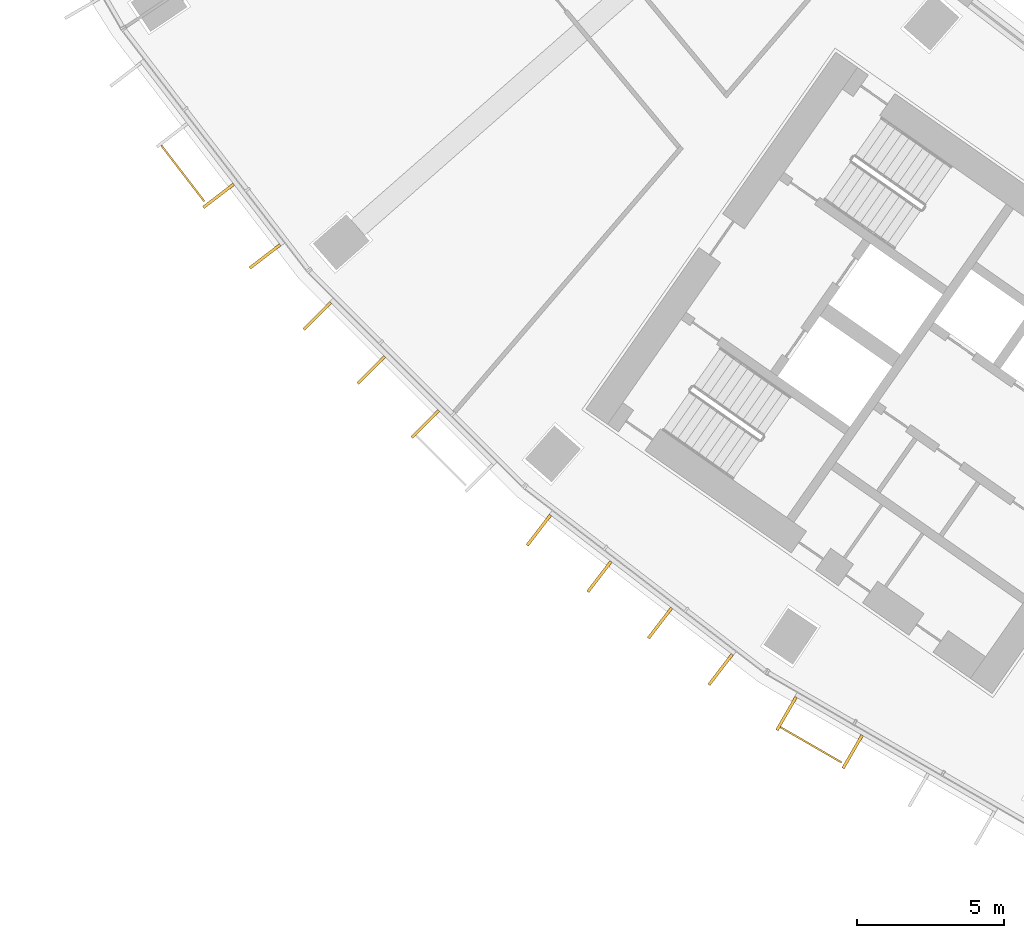
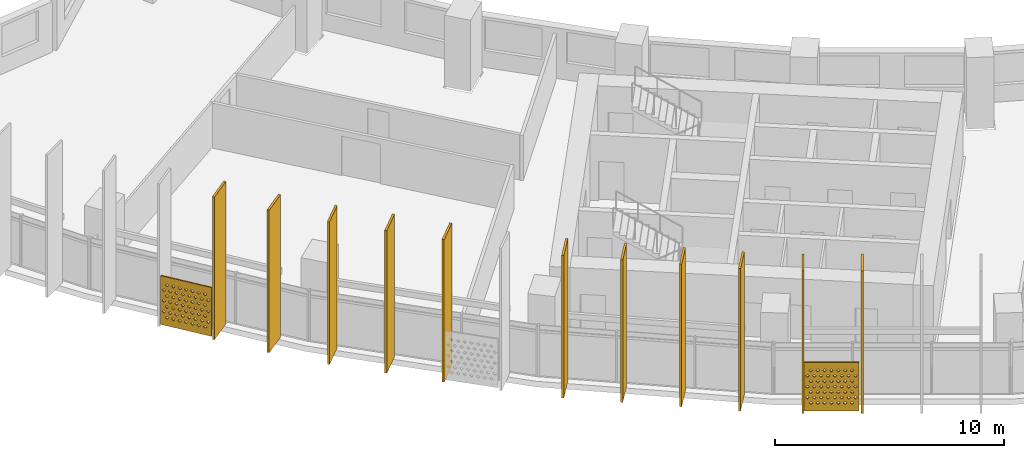
# One storey, part 24 of 33: 13 shading devices.
"""IFC4 building model written with IfcOpenShell, lengths in metres."""

import ifcopenshell
import ifcopenshell.guid

model = None  # the IFC model being written
_history = None  # IfcOwnerHistory: only IFC2X3 demands one
_inside = {}  # id of a spatial element -> (the spatial element, [elements in it])
_under = {}  # id of a project, library or spatial element -> (it, [spatial elements below it])
_declared = {}  # id of a project -> (the project, [libraries it declares])
_typed = {}  # id of a type object -> (the type object, [elements of that type])
_made_of = {}  # id of a material, layer set ... -> (it, [elements and type objects made of it])


def new_model(schema):
    """Start an empty IFC model of exactly this schema.

    Asked for "IFC4X3", IfcOpenShell would pick the latest addendum, in which some entities
    have other attributes; the version numbers below select the first issue.
    IFC2X3 requires an IfcOwnerHistory on every rooted entity: one is made here for all.
    """
    global model, _history
    if schema == "IFC4X3":
        model = ifcopenshell.file(schema_version=(4, 3, 0, 0))
    else:
        model = ifcopenshell.file(schema=schema)
    _inside.clear()
    _under.clear()
    _declared.clear()
    _typed.clear()
    _made_of.clear()
    _history = None
    if model.schema == "IFC2X3":
        org = make("IfcOrganization", Name="unknown")
        user = make(
            "IfcPersonAndOrganization",
            ThePerson=make("IfcPerson", FamilyName="unknown"),
            TheOrganization=org,
        )
        app = make(
            "IfcApplication",
            ApplicationDeveloper=org,
            Version="unknown",
            ApplicationFullName="unknown",
            ApplicationIdentifier="unknown",
        )
        _history = make(
            "IfcOwnerHistory",
            OwningUser=user,
            OwningApplication=app,
            ChangeAction="ADDED",
            CreationDate=0,
        )
    return model


def make(cls, **values):
    """One entity of the class cls with the attributes given. An attribute that is None is left unset."""
    return model.create_entity(
        cls, **{name: value for name, value in values.items() if value is not None}
    )


def rooted(cls, **values):
    """An entity with a GlobalId (a new one), such as an element, a storey or a relation."""
    return make(cls, GlobalId=ifcopenshell.guid.new(), OwnerHistory=_history, **values)


def si_unit(unit_type, name, prefix=None):
    """IfcSIUnit, for example si_unit("LENGTHUNIT", "METRE", prefix="MILLI")."""
    return make("IfcSIUnit", UnitType=unit_type, Prefix=prefix, Name=name)


def assignment(units):
    """IfcUnitAssignment: the units of a project."""
    return None if units is None else make("IfcUnitAssignment", Units=units)


def point(xyz):
    """IfcCartesianPoint."""
    return None if xyz is None else make("IfcCartesianPoint", Coordinates=xyz)


def direction(xyz):
    """IfcDirection."""
    return None if xyz is None else make("IfcDirection", DirectionRatios=xyz)


def frame(location, z_axis=None, x_axis=None):
    """IfcAxis2Placement3D, a coordinate frame: its origin and axes. An axis left out is left unset."""
    return make(
        "IfcAxis2Placement3D",
        Location=point(location),
        Axis=direction(z_axis),
        RefDirection=direction(x_axis),
    )


def frame_2d(location, x_axis=None):
    """IfcAxis2Placement2D, a coordinate frame in the plane: its origin and x axis."""
    return make(
        "IfcAxis2Placement2D", Location=point(location), RefDirection=direction(x_axis)
    )


def origin():
    """The frame at (0, 0, 0) with its axes left unset."""
    return frame((0.0, 0.0, 0.0))


def origin_2d():
    """The frame at (0, 0) in the plane with its x axis left unset."""
    return frame_2d((0.0, 0.0))


def place(relative_to, where):
    """IfcLocalPlacement: puts the frame where relative to a parent placement (None: the world)."""
    return make(
        "IfcLocalPlacement", PlacementRelTo=relative_to, RelativePlacement=where
    )


def context(
    kind, dimensions, precision=None, world=None, true_north=None, identifier=None
):
    """IfcGeometricRepresentationContext, for example the 3D "Model" context."""
    return make(
        "IfcGeometricRepresentationContext",
        ContextIdentifier=identifier,
        ContextType=kind,
        CoordinateSpaceDimension=dimensions,
        Precision=precision,
        WorldCoordinateSystem=world,
        TrueNorth=true_north,
    )


def subcontext(parent, identifier, kind, view, scale=None):
    """IfcGeometricRepresentationSubContext, for example "Body" below "Model"."""
    return make(
        "IfcGeometricRepresentationSubContext",
        ContextIdentifier=identifier,
        ContextType=kind,
        ParentContext=parent,
        TargetScale=scale,
        TargetView=view,
    )


def project(units=None, contexts=None):
    """IfcProject with its units and contexts."""
    return rooted(
        "IfcProject",
        Name="project",
        RepresentationContexts=contexts,
        UnitsInContext=assignment(units),
    )


def spatial(cls, under=None, at=None, **own):
    """A site, building, storey or space (cls), placed at a placement, below another one or the project."""
    s = rooted(cls, ObjectPlacement=at, **own)
    if under is not None:
        _under.setdefault(under.id(), (under, []))[1].append(s)
    return s


def polyline(points):
    """IfcPolyline through the points."""
    return make("IfcPolyline", Points=[point(p) for p in points])


def profile(cls, at=None, kind="AREA", **sizes):
    """A parametric profile (cls). Its sizes go by their IFC names, for example OverallWidth=200.0."""
    return make(cls, ProfileType=kind, Position=at, **sizes)


def rectangle(**sizes):
    """IfcRectangleProfileDef."""
    return profile("IfcRectangleProfileDef", **sizes)


def outline(outer, holes=None, kind="AREA"):
    """IfcArbitraryClosedProfileDef: a profile drawn as a closed curve; with holes, ...WithVoids."""
    if holes is None:
        return make("IfcArbitraryClosedProfileDef", ProfileType=kind, OuterCurve=outer)
    return make(
        "IfcArbitraryProfileDefWithVoids",
        ProfileType=kind,
        OuterCurve=outer,
        InnerCurves=holes,
    )


def extrude(swept, where, along, depth):
    """IfcExtrudedAreaSolid: the profile swept, set in the frame where, extruded along a direction by depth."""
    return make(
        "IfcExtrudedAreaSolid",
        SweptArea=swept,
        Position=where,
        ExtrudedDirection=direction(along),
        Depth=depth,
    )


def shape(context_of_items, identifier, shape_type, items):
    """IfcShapeRepresentation: the items that make up one representation, for example the "Body"."""
    return make(
        "IfcShapeRepresentation",
        ContextOfItems=context_of_items,
        RepresentationIdentifier=identifier,
        RepresentationType=shape_type,
        Items=items,
    )


def material(Name=None, Category=None):
    """IfcMaterial."""
    return make("IfcMaterial", Name=Name, Category=Category)


def material_profile(
    of_material, cross_section, Name=None, Category=None, Priority=None
):
    """IfcMaterialProfile: a cross section and its material."""
    return make(
        "IfcMaterialProfile",
        Name=Name,
        Material=of_material,
        Profile=cross_section,
        Priority=Priority,
        Category=Category,
    )


def profile_set(profiles, Name=None, composite=None):
    """IfcMaterialProfileSet."""
    return make(
        "IfcMaterialProfileSet",
        Name=Name,
        MaterialProfiles=profiles,
        CompositeProfile=composite,
    )


def made_of(thing, what):
    """Note that an element or type object is made of a material, layer set ...; save() writes the relation."""
    if what is not None:
        _made_of.setdefault(what.id(), (what, []))[1].append(thing)
    return thing


def type_object(cls, material=None, **own):
    """A type object (cls), such as IfcWallType, which elements share."""
    return made_of(rooted(cls, **own), material)


def element(
    cls,
    number,
    at=None,
    inside=None,
    cuts=None,
    type_object=None,
    material=None,
    context=None,
    identifier="Body",
    shape_type=None,
    held_by="IfcProductDefinitionShape",
    body=None,
    shapes=None,
    **own,
):
    """One element of the class cls, such as IfcWall. Its Tag is "e" and its number.

    at: its placement. inside: the storey or other place that contains it. cuts: it is an
    opening in that element (IfcRelVoidsElement). A single representation is given by context,
    identifier, shape_type and body (its items); several are given by shapes. held_by: the class
    of the entity that holds the representations. save() writes the other relations.
    """
    e = rooted(cls, Tag="e%d" % number, ObjectPlacement=at, **own)
    if body is not None:
        shapes = [shape(context, identifier, shape_type, body)]
    if shapes is not None:
        e.Representation = make(held_by, Representations=shapes)
    if inside is not None:
        _inside.setdefault(inside.id(), (inside, []))[1].append(e)
    if cuts is not None:
        rooted(
            "IfcRelVoidsElement", RelatingBuildingElement=cuts, RelatedOpeningElement=e
        )
    if type_object is not None:
        _typed.setdefault(type_object.id(), (type_object, []))[1].append(e)
    return made_of(e, material)


def aggregate(whole, parts):
    """IfcRelAggregates: a whole, such as a stair, and the parts it consists of."""
    return rooted("IfcRelAggregates", RelatingObject=whole, RelatedObjects=parts)


def save(model, path):
    """Write the relations noted so far, then the file.

    IfcRelAggregates (storeys below a building ...), IfcRelContainedInSpatialStructure (elements
    in a storey), IfcRelDefinesByType, IfcRelAssociatesMaterial and IfcRelDeclares: one each for
    every whole, place, type object, material and project.
    """
    for whole, parts in _under.values():
        aggregate(whole, parts)
    for where, things in _inside.values():
        rooted(
            "IfcRelContainedInSpatialStructure",
            RelatedElements=things,
            RelatingStructure=where,
        )
    for kind, things in _typed.values():
        rooted("IfcRelDefinesByType", RelatedObjects=things, RelatingType=kind)
    for what, things in _made_of.values():
        rooted("IfcRelAssociatesMaterial", RelatedObjects=things, RelatingMaterial=what)
    for by, libraries in _declared.values():
        rooted("IfcRelDeclares", RelatingContext=by, RelatedDefinitions=libraries)
    model.write(path)


model = new_model("IFC4")

# Units and contexts
model_context = context("Model", 3, precision=1e-05, world=origin(), true_north=direction((0.0, 1.0)))
body_context = subcontext(model_context, "Body", "Model", "MODEL_VIEW")
ifc_project = project(units=[si_unit("LENGTHUNIT", "METRE"), si_unit("AREAUNIT", "SQUARE_METRE"), si_unit("VOLUMEUNIT", "CUBIC_METRE"), si_unit("PLANEANGLEUNIT", "RADIAN"), si_unit("MASSUNIT", "GRAM", prefix="KILO")], contexts=[model_context])

# Site, building, storey
site_placement = place(None, origin())
site = spatial("IfcSite", under=ifc_project, at=site_placement, CompositionType="ELEMENT")
building_placement = place(site_placement, origin())
building = spatial("IfcBuilding", under=site, at=building_placement, Name="Qamariyya Broadcast Tower", CompositionType="ELEMENT")
storey_placement = place(building_placement, frame((0.0, 0.0, 94.89990234375)))
storey = spatial("IfcBuildingStorey", under=building, at=storey_placement, Name="L20", CompositionType="ELEMENT", Elevation=94.89990234375)

# Shading devices
ifc_material_1 = material(Name="Perforated glazed terracotta", Category="masonry")
ifc_material_profile_1 = material_profile(ifc_material_1, outline(polyline([(-1.199951171875, -1.300048828125), (1.199951171875, -1.300048828125), (1.199951171875, 1.300048828125), (-1.199951171875, 1.300048828125), (-1.199951171875, -1.300048828125)]), holes=[polyline([(-0.81494140625, -0.86669921875), (-0.89990234375, -0.78173828125), (-0.985107421875, -0.86669921875), (-0.89990234375, -0.95166015625), (-0.81494140625, -0.86669921875)]), polyline([(-0.514892578125, -0.86669921875), (-0.60009765625, -0.78173828125), (-0.68505859375, -0.86669921875), (-0.60009765625, -0.95166015625), (-0.514892578125, -0.86669921875)]), polyline([(-0.215087890625, -0.86669921875), (-0.300048828125, -0.78173828125), (-0.385009765625, -0.86669921875), (-0.300048828125, -0.95166015625), (-0.215087890625, -0.86669921875)]), polyline([(0.0849609375, -0.86669921875), (0.0, -0.78173828125), (-0.0849609375, -0.86669921875), (0.0, -0.95166015625), (0.0849609375, -0.86669921875)]), polyline([(0.385009765625, -0.86669921875), (0.300048828125, -0.78173828125), (0.215087890625, -0.86669921875), (0.300048828125, -0.95166015625), (0.385009765625, -0.86669921875)]), polyline([(0.68505859375, -0.86669921875), (0.60009765625, -0.78173828125), (0.514892578125, -0.86669921875), (0.60009765625, -0.95166015625), (0.68505859375, -0.86669921875)]), polyline([(0.985107421875, -0.86669921875), (0.89990234375, -0.78173828125), (0.81494140625, -0.86669921875), (0.89990234375, -0.95166015625), (0.985107421875, -0.86669921875)]), polyline([(-0.965087890625, -0.577880859375), (-1.050048828125, -0.49267578125), (-1.135009765625, -0.577880859375), (-1.050048828125, -0.662841796875), (-0.965087890625, -0.577880859375)]), polyline([(-0.6650390625, -0.577880859375), (-0.75, -0.49267578125), (-0.8349609375, -0.577880859375), (-0.75, -0.662841796875), (-0.6650390625, -0.577880859375)]), polyline([(-0.364990234375, -0.577880859375), (-0.449951171875, -0.49267578125), (-0.534912109375, -0.577880859375), (-0.449951171875, -0.662841796875), (-0.364990234375, -0.577880859375)]), polyline([(-0.06494140625, -0.577880859375), (-0.14990234375, -0.49267578125), (-0.235107421875, -0.577880859375), (-0.14990234375, -0.662841796875), (-0.06494140625, -0.577880859375)]), polyline([(0.235107421875, -0.577880859375), (0.14990234375, -0.49267578125), (0.06494140625, -0.577880859375), (0.14990234375, -0.662841796875), (0.235107421875, -0.577880859375)]), polyline([(0.534912109375, -0.577880859375), (0.449951171875, -0.49267578125), (0.364990234375, -0.577880859375), (0.449951171875, -0.662841796875), (0.534912109375, -0.577880859375)]), polyline([(0.8349609375, -0.577880859375), (0.75, -0.49267578125), (0.6650390625, -0.577880859375), (0.75, -0.662841796875), (0.8349609375, -0.577880859375)]), polyline([(1.135009765625, -0.577880859375), (1.050048828125, -0.49267578125), (0.965087890625, -0.577880859375), (1.050048828125, -0.662841796875), (1.135009765625, -0.577880859375)]), polyline([(-0.81494140625, -0.288818359375), (-0.89990234375, -0.203857421875), (-0.985107421875, -0.288818359375), (-0.89990234375, -0.373779296875), (-0.81494140625, -0.288818359375)]), polyline([(-0.514892578125, -0.288818359375), (-0.60009765625, -0.203857421875), (-0.68505859375, -0.288818359375), (-0.60009765625, -0.373779296875), (-0.514892578125, -0.288818359375)]), polyline([(-0.215087890625, -0.288818359375), (-0.300048828125, -0.203857421875), (-0.385009765625, -0.288818359375), (-0.300048828125, -0.373779296875), (-0.215087890625, -0.288818359375)]), polyline([(0.0849609375, -0.288818359375), (0.0, -0.203857421875), (-0.0849609375, -0.288818359375), (0.0, -0.373779296875), (0.0849609375, -0.288818359375)]), polyline([(0.385009765625, -0.288818359375), (0.300048828125, -0.203857421875), (0.215087890625, -0.288818359375), (0.300048828125, -0.373779296875), (0.385009765625, -0.288818359375)]), polyline([(0.68505859375, -0.288818359375), (0.60009765625, -0.203857421875), (0.514892578125, -0.288818359375), (0.60009765625, -0.373779296875), (0.68505859375, -0.288818359375)]), polyline([(0.985107421875, -0.288818359375), (0.89990234375, -0.203857421875), (0.81494140625, -0.288818359375), (0.89990234375, -0.373779296875), (0.985107421875, -0.288818359375)]), polyline([(-0.965087890625, 0.0), (-1.050048828125, 0.0849609375), (-1.135009765625, 0.0), (-1.050048828125, -0.0849609375), (-0.965087890625, 0.0)]), polyline([(-0.6650390625, 0.0), (-0.75, 0.0849609375), (-0.8349609375, 0.0), (-0.75, -0.0849609375), (-0.6650390625, 0.0)]), polyline([(-0.364990234375, 0.0), (-0.449951171875, 0.0849609375), (-0.534912109375, 0.0), (-0.449951171875, -0.0849609375), (-0.364990234375, 0.0)]), polyline([(-0.06494140625, 0.0), (-0.14990234375, 0.0849609375), (-0.235107421875, 0.0), (-0.14990234375, -0.0849609375), (-0.06494140625, 0.0)]), polyline([(0.235107421875, 0.0), (0.14990234375, 0.0849609375), (0.06494140625, 0.0), (0.14990234375, -0.0849609375), (0.235107421875, 0.0)]), polyline([(0.534912109375, 0.0), (0.449951171875, 0.0849609375), (0.364990234375, 0.0), (0.449951171875, -0.0849609375), (0.534912109375, 0.0)]), polyline([(0.8349609375, 0.0), (0.75, 0.0849609375), (0.6650390625, 0.0), (0.75, -0.0849609375), (0.8349609375, 0.0)]), polyline([(1.135009765625, 0.0), (1.050048828125, 0.0849609375), (0.965087890625, 0.0), (1.050048828125, -0.0849609375), (1.135009765625, 0.0)]), polyline([(-0.81494140625, 0.288818359375), (-0.89990234375, 0.373779296875), (-0.985107421875, 0.288818359375), (-0.89990234375, 0.203857421875), (-0.81494140625, 0.288818359375)]), polyline([(-0.514892578125, 0.288818359375), (-0.60009765625, 0.373779296875), (-0.68505859375, 0.288818359375), (-0.60009765625, 0.203857421875), (-0.514892578125, 0.288818359375)]), polyline([(-0.215087890625, 0.288818359375), (-0.300048828125, 0.373779296875), (-0.385009765625, 0.288818359375), (-0.300048828125, 0.203857421875), (-0.215087890625, 0.288818359375)]), polyline([(0.0849609375, 0.288818359375), (0.0, 0.373779296875), (-0.0849609375, 0.288818359375), (0.0, 0.203857421875), (0.0849609375, 0.288818359375)]), polyline([(0.385009765625, 0.288818359375), (0.300048828125, 0.373779296875), (0.215087890625, 0.288818359375), (0.300048828125, 0.203857421875), (0.385009765625, 0.288818359375)]), polyline([(0.68505859375, 0.288818359375), (0.60009765625, 0.373779296875), (0.514892578125, 0.288818359375), (0.60009765625, 0.203857421875), (0.68505859375, 0.288818359375)]), polyline([(0.985107421875, 0.288818359375), (0.89990234375, 0.373779296875), (0.81494140625, 0.288818359375), (0.89990234375, 0.203857421875), (0.985107421875, 0.288818359375)]), polyline([(-0.965087890625, 0.577880859375), (-1.050048828125, 0.662841796875), (-1.135009765625, 0.577880859375), (-1.050048828125, 0.49267578125), (-0.965087890625, 0.577880859375)]), polyline([(-0.6650390625, 0.577880859375), (-0.75, 0.662841796875), (-0.8349609375, 0.577880859375), (-0.75, 0.49267578125), (-0.6650390625, 0.577880859375)]), polyline([(-0.364990234375, 0.577880859375), (-0.449951171875, 0.662841796875), (-0.534912109375, 0.577880859375), (-0.449951171875, 0.49267578125), (-0.364990234375, 0.577880859375)]), polyline([(-0.06494140625, 0.577880859375), (-0.14990234375, 0.662841796875), (-0.235107421875, 0.577880859375), (-0.14990234375, 0.49267578125), (-0.06494140625, 0.577880859375)]), polyline([(0.235107421875, 0.577880859375), (0.14990234375, 0.662841796875), (0.06494140625, 0.577880859375), (0.14990234375, 0.49267578125), (0.235107421875, 0.577880859375)]), polyline([(0.534912109375, 0.577880859375), (0.449951171875, 0.662841796875), (0.364990234375, 0.577880859375), (0.449951171875, 0.49267578125), (0.534912109375, 0.577880859375)]), polyline([(0.8349609375, 0.577880859375), (0.75, 0.662841796875), (0.6650390625, 0.577880859375), (0.75, 0.49267578125), (0.8349609375, 0.577880859375)]), polyline([(1.135009765625, 0.577880859375), (1.050048828125, 0.662841796875), (0.965087890625, 0.577880859375), (1.050048828125, 0.49267578125), (1.135009765625, 0.577880859375)]), polyline([(-0.81494140625, 0.86669921875), (-0.89990234375, 0.95166015625), (-0.985107421875, 0.86669921875), (-0.89990234375, 0.78173828125), (-0.81494140625, 0.86669921875)]), polyline([(-0.514892578125, 0.86669921875), (-0.60009765625, 0.95166015625), (-0.68505859375, 0.86669921875), (-0.60009765625, 0.78173828125), (-0.514892578125, 0.86669921875)]), polyline([(-0.215087890625, 0.86669921875), (-0.300048828125, 0.95166015625), (-0.385009765625, 0.86669921875), (-0.300048828125, 0.78173828125), (-0.215087890625, 0.86669921875)]), polyline([(0.0849609375, 0.86669921875), (0.0, 0.95166015625), (-0.0849609375, 0.86669921875), (0.0, 0.78173828125), (0.0849609375, 0.86669921875)]), polyline([(0.385009765625, 0.86669921875), (0.300048828125, 0.95166015625), (0.215087890625, 0.86669921875), (0.300048828125, 0.78173828125), (0.385009765625, 0.86669921875)]), polyline([(0.68505859375, 0.86669921875), (0.60009765625, 0.95166015625), (0.514892578125, 0.86669921875), (0.60009765625, 0.78173828125), (0.68505859375, 0.86669921875)]), polyline([(0.985107421875, 0.86669921875), (0.89990234375, 0.95166015625), (0.81494140625, 0.86669921875), (0.89990234375, 0.78173828125), (0.985107421875, 0.86669921875)])]))
ifc_profile_set_1 = profile_set([ifc_material_profile_1], Name="Perforated glazed terracotta")
shading_device_type_1 = type_object("IfcShadingDeviceType", Name="Perforated terracotta screen 2400 x 2600", PredefinedType="USERDEFINED", material=ifc_profile_set_1)
shading_device_1_placement = place(storey_placement, frame((-63.814208984375, -48.907470703125, 1.35009765625), z_axis=(-0.792623989105, -0.60971076085, 0.0), x_axis=(0.60971076085, -0.792623989105, 0.0)))
element("IfcShadingDevice", 1, at=shading_device_1_placement, inside=storey, type_object=shading_device_type_1, Name="e-scr-L20-02-1", ObjectType="SCREEN", PredefinedType="USERDEFINED", context=body_context, shape_type="SweptSolid", body=[
    extrude(outline(polyline([(-1.199951171875, -1.300048828125), (1.199951171875, -1.300048828125), (1.199951171875, 1.300048828125), (-1.199951171875, 1.300048828125), (-1.199951171875, -1.300048828125)]), holes=[polyline([(-0.81494140625, -0.86669921875), (-0.89990234375, -0.78173828125), (-0.985107421875, -0.86669921875), (-0.89990234375, -0.95166015625), (-0.81494140625, -0.86669921875)]), polyline([(-0.514892578125, -0.86669921875), (-0.60009765625, -0.78173828125), (-0.68505859375, -0.86669921875), (-0.60009765625, -0.95166015625), (-0.514892578125, -0.86669921875)]), polyline([(-0.215087890625, -0.86669921875), (-0.300048828125, -0.78173828125), (-0.385009765625, -0.86669921875), (-0.300048828125, -0.95166015625), (-0.215087890625, -0.86669921875)]), polyline([(0.0849609375, -0.86669921875), (0.0, -0.78173828125), (-0.0849609375, -0.86669921875), (0.0, -0.95166015625), (0.0849609375, -0.86669921875)]), polyline([(0.385009765625, -0.86669921875), (0.300048828125, -0.78173828125), (0.215087890625, -0.86669921875), (0.300048828125, -0.95166015625), (0.385009765625, -0.86669921875)]), polyline([(0.68505859375, -0.86669921875), (0.60009765625, -0.78173828125), (0.514892578125, -0.86669921875), (0.60009765625, -0.95166015625), (0.68505859375, -0.86669921875)]), polyline([(0.985107421875, -0.86669921875), (0.89990234375, -0.78173828125), (0.81494140625, -0.86669921875), (0.89990234375, -0.95166015625), (0.985107421875, -0.86669921875)]), polyline([(-0.965087890625, -0.577880859375), (-1.050048828125, -0.49267578125), (-1.135009765625, -0.577880859375), (-1.050048828125, -0.662841796875), (-0.965087890625, -0.577880859375)]), polyline([(-0.6650390625, -0.577880859375), (-0.75, -0.49267578125), (-0.8349609375, -0.577880859375), (-0.75, -0.662841796875), (-0.6650390625, -0.577880859375)]), polyline([(-0.364990234375, -0.577880859375), (-0.449951171875, -0.49267578125), (-0.534912109375, -0.577880859375), (-0.449951171875, -0.662841796875), (-0.364990234375, -0.577880859375)]), polyline([(-0.06494140625, -0.577880859375), (-0.14990234375, -0.49267578125), (-0.235107421875, -0.577880859375), (-0.14990234375, -0.662841796875), (-0.06494140625, -0.577880859375)]), polyline([(0.235107421875, -0.577880859375), (0.14990234375, -0.49267578125), (0.06494140625, -0.577880859375), (0.14990234375, -0.662841796875), (0.235107421875, -0.577880859375)]), polyline([(0.534912109375, -0.577880859375), (0.449951171875, -0.49267578125), (0.364990234375, -0.577880859375), (0.449951171875, -0.662841796875), (0.534912109375, -0.577880859375)]), polyline([(0.8349609375, -0.577880859375), (0.75, -0.49267578125), (0.6650390625, -0.577880859375), (0.75, -0.662841796875), (0.8349609375, -0.577880859375)]), polyline([(1.135009765625, -0.577880859375), (1.050048828125, -0.49267578125), (0.965087890625, -0.577880859375), (1.050048828125, -0.662841796875), (1.135009765625, -0.577880859375)]), polyline([(-0.81494140625, -0.288818359375), (-0.89990234375, -0.203857421875), (-0.985107421875, -0.288818359375), (-0.89990234375, -0.373779296875), (-0.81494140625, -0.288818359375)]), polyline([(-0.514892578125, -0.288818359375), (-0.60009765625, -0.203857421875), (-0.68505859375, -0.288818359375), (-0.60009765625, -0.373779296875), (-0.514892578125, -0.288818359375)]), polyline([(-0.215087890625, -0.288818359375), (-0.300048828125, -0.203857421875), (-0.385009765625, -0.288818359375), (-0.300048828125, -0.373779296875), (-0.215087890625, -0.288818359375)]), polyline([(0.0849609375, -0.288818359375), (0.0, -0.203857421875), (-0.0849609375, -0.288818359375), (0.0, -0.373779296875), (0.0849609375, -0.288818359375)]), polyline([(0.385009765625, -0.288818359375), (0.300048828125, -0.203857421875), (0.215087890625, -0.288818359375), (0.300048828125, -0.373779296875), (0.385009765625, -0.288818359375)]), polyline([(0.68505859375, -0.288818359375), (0.60009765625, -0.203857421875), (0.514892578125, -0.288818359375), (0.60009765625, -0.373779296875), (0.68505859375, -0.288818359375)]), polyline([(0.985107421875, -0.288818359375), (0.89990234375, -0.203857421875), (0.81494140625, -0.288818359375), (0.89990234375, -0.373779296875), (0.985107421875, -0.288818359375)]), polyline([(-0.965087890625, 0.0), (-1.050048828125, 0.0849609375), (-1.135009765625, 0.0), (-1.050048828125, -0.0849609375), (-0.965087890625, 0.0)]), polyline([(-0.6650390625, 0.0), (-0.75, 0.0849609375), (-0.8349609375, 0.0), (-0.75, -0.0849609375), (-0.6650390625, 0.0)]), polyline([(-0.364990234375, 0.0), (-0.449951171875, 0.0849609375), (-0.534912109375, 0.0), (-0.449951171875, -0.0849609375), (-0.364990234375, 0.0)]), polyline([(-0.06494140625, 0.0), (-0.14990234375, 0.0849609375), (-0.235107421875, 0.0), (-0.14990234375, -0.0849609375), (-0.06494140625, 0.0)]), polyline([(0.235107421875, 0.0), (0.14990234375, 0.0849609375), (0.06494140625, 0.0), (0.14990234375, -0.0849609375), (0.235107421875, 0.0)]), polyline([(0.534912109375, 0.0), (0.449951171875, 0.0849609375), (0.364990234375, 0.0), (0.449951171875, -0.0849609375), (0.534912109375, 0.0)]), polyline([(0.8349609375, 0.0), (0.75, 0.0849609375), (0.6650390625, 0.0), (0.75, -0.0849609375), (0.8349609375, 0.0)]), polyline([(1.135009765625, 0.0), (1.050048828125, 0.0849609375), (0.965087890625, 0.0), (1.050048828125, -0.0849609375), (1.135009765625, 0.0)]), polyline([(-0.81494140625, 0.288818359375), (-0.89990234375, 0.373779296875), (-0.985107421875, 0.288818359375), (-0.89990234375, 0.203857421875), (-0.81494140625, 0.288818359375)]), polyline([(-0.514892578125, 0.288818359375), (-0.60009765625, 0.373779296875), (-0.68505859375, 0.288818359375), (-0.60009765625, 0.203857421875), (-0.514892578125, 0.288818359375)]), polyline([(-0.215087890625, 0.288818359375), (-0.300048828125, 0.373779296875), (-0.385009765625, 0.288818359375), (-0.300048828125, 0.203857421875), (-0.215087890625, 0.288818359375)]), polyline([(0.0849609375, 0.288818359375), (0.0, 0.373779296875), (-0.0849609375, 0.288818359375), (0.0, 0.203857421875), (0.0849609375, 0.288818359375)]), polyline([(0.385009765625, 0.288818359375), (0.300048828125, 0.373779296875), (0.215087890625, 0.288818359375), (0.300048828125, 0.203857421875), (0.385009765625, 0.288818359375)]), polyline([(0.68505859375, 0.288818359375), (0.60009765625, 0.373779296875), (0.514892578125, 0.288818359375), (0.60009765625, 0.203857421875), (0.68505859375, 0.288818359375)]), polyline([(0.985107421875, 0.288818359375), (0.89990234375, 0.373779296875), (0.81494140625, 0.288818359375), (0.89990234375, 0.203857421875), (0.985107421875, 0.288818359375)]), polyline([(-0.965087890625, 0.577880859375), (-1.050048828125, 0.662841796875), (-1.135009765625, 0.577880859375), (-1.050048828125, 0.49267578125), (-0.965087890625, 0.577880859375)]), polyline([(-0.6650390625, 0.577880859375), (-0.75, 0.662841796875), (-0.8349609375, 0.577880859375), (-0.75, 0.49267578125), (-0.6650390625, 0.577880859375)]), polyline([(-0.364990234375, 0.577880859375), (-0.449951171875, 0.662841796875), (-0.534912109375, 0.577880859375), (-0.449951171875, 0.49267578125), (-0.364990234375, 0.577880859375)]), polyline([(-0.06494140625, 0.577880859375), (-0.14990234375, 0.662841796875), (-0.235107421875, 0.577880859375), (-0.14990234375, 0.49267578125), (-0.06494140625, 0.577880859375)]), polyline([(0.235107421875, 0.577880859375), (0.14990234375, 0.662841796875), (0.06494140625, 0.577880859375), (0.14990234375, 0.49267578125), (0.235107421875, 0.577880859375)]), polyline([(0.534912109375, 0.577880859375), (0.449951171875, 0.662841796875), (0.364990234375, 0.577880859375), (0.449951171875, 0.49267578125), (0.534912109375, 0.577880859375)]), polyline([(0.8349609375, 0.577880859375), (0.75, 0.662841796875), (0.6650390625, 0.577880859375), (0.75, 0.49267578125), (0.8349609375, 0.577880859375)]), polyline([(1.135009765625, 0.577880859375), (1.050048828125, 0.662841796875), (0.965087890625, 0.577880859375), (1.050048828125, 0.49267578125), (1.135009765625, 0.577880859375)]), polyline([(-0.81494140625, 0.86669921875), (-0.89990234375, 0.95166015625), (-0.985107421875, 0.86669921875), (-0.89990234375, 0.78173828125), (-0.81494140625, 0.86669921875)]), polyline([(-0.514892578125, 0.86669921875), (-0.60009765625, 0.95166015625), (-0.68505859375, 0.86669921875), (-0.60009765625, 0.78173828125), (-0.514892578125, 0.86669921875)]), polyline([(-0.215087890625, 0.86669921875), (-0.300048828125, 0.95166015625), (-0.385009765625, 0.86669921875), (-0.300048828125, 0.78173828125), (-0.215087890625, 0.86669921875)]), polyline([(0.0849609375, 0.86669921875), (0.0, 0.95166015625), (-0.0849609375, 0.86669921875), (0.0, 0.78173828125), (0.0849609375, 0.86669921875)]), polyline([(0.385009765625, 0.86669921875), (0.300048828125, 0.95166015625), (0.215087890625, 0.86669921875), (0.300048828125, 0.78173828125), (0.385009765625, 0.86669921875)]), polyline([(0.68505859375, 0.86669921875), (0.60009765625, 0.95166015625), (0.514892578125, 0.86669921875), (0.60009765625, 0.78173828125), (0.68505859375, 0.86669921875)]), polyline([(0.985107421875, 0.86669921875), (0.89990234375, 0.95166015625), (0.81494140625, 0.86669921875), (0.89990234375, 0.78173828125), (0.985107421875, 0.86669921875)])]), origin(), (0.0, 0.0, 1.0), 0.06005859375),
])
shading_device_2_placement = place(storey_placement, frame((-42.486328125, -68.30859375, 1.35009765625), z_axis=(-0.500074377092, -0.865982457891, 0.0), x_axis=(0.865982457891, -0.500074377092, 0.0)))
element("IfcShadingDevice", 2, at=shading_device_2_placement, inside=storey, type_object=shading_device_type_1, Name="e-scr-L20-05-0", ObjectType="SCREEN", PredefinedType="USERDEFINED", context=body_context, shape_type="SweptSolid", body=[
    extrude(outline(polyline([(-1.199951171875, -1.300048828125), (1.199951171875, -1.300048828125), (1.199951171875, 1.300048828125), (-1.199951171875, 1.300048828125), (-1.199951171875, -1.300048828125)]), holes=[polyline([(-0.81494140625, -0.86669921875), (-0.89990234375, -0.78173828125), (-0.985107421875, -0.86669921875), (-0.89990234375, -0.95166015625), (-0.81494140625, -0.86669921875)]), polyline([(-0.514892578125, -0.86669921875), (-0.60009765625, -0.78173828125), (-0.68505859375, -0.86669921875), (-0.60009765625, -0.95166015625), (-0.514892578125, -0.86669921875)]), polyline([(-0.215087890625, -0.86669921875), (-0.300048828125, -0.78173828125), (-0.385009765625, -0.86669921875), (-0.300048828125, -0.95166015625), (-0.215087890625, -0.86669921875)]), polyline([(0.0849609375, -0.86669921875), (0.0, -0.78173828125), (-0.0849609375, -0.86669921875), (0.0, -0.95166015625), (0.0849609375, -0.86669921875)]), polyline([(0.385009765625, -0.86669921875), (0.300048828125, -0.78173828125), (0.215087890625, -0.86669921875), (0.300048828125, -0.95166015625), (0.385009765625, -0.86669921875)]), polyline([(0.68505859375, -0.86669921875), (0.60009765625, -0.78173828125), (0.514892578125, -0.86669921875), (0.60009765625, -0.95166015625), (0.68505859375, -0.86669921875)]), polyline([(0.985107421875, -0.86669921875), (0.89990234375, -0.78173828125), (0.81494140625, -0.86669921875), (0.89990234375, -0.95166015625), (0.985107421875, -0.86669921875)]), polyline([(-0.965087890625, -0.577880859375), (-1.050048828125, -0.49267578125), (-1.135009765625, -0.577880859375), (-1.050048828125, -0.662841796875), (-0.965087890625, -0.577880859375)]), polyline([(-0.6650390625, -0.577880859375), (-0.75, -0.49267578125), (-0.8349609375, -0.577880859375), (-0.75, -0.662841796875), (-0.6650390625, -0.577880859375)]), polyline([(-0.364990234375, -0.577880859375), (-0.449951171875, -0.49267578125), (-0.534912109375, -0.577880859375), (-0.449951171875, -0.662841796875), (-0.364990234375, -0.577880859375)]), polyline([(-0.06494140625, -0.577880859375), (-0.14990234375, -0.49267578125), (-0.235107421875, -0.577880859375), (-0.14990234375, -0.662841796875), (-0.06494140625, -0.577880859375)]), polyline([(0.235107421875, -0.577880859375), (0.14990234375, -0.49267578125), (0.06494140625, -0.577880859375), (0.14990234375, -0.662841796875), (0.235107421875, -0.577880859375)]), polyline([(0.534912109375, -0.577880859375), (0.449951171875, -0.49267578125), (0.364990234375, -0.577880859375), (0.449951171875, -0.662841796875), (0.534912109375, -0.577880859375)]), polyline([(0.8349609375, -0.577880859375), (0.75, -0.49267578125), (0.6650390625, -0.577880859375), (0.75, -0.662841796875), (0.8349609375, -0.577880859375)]), polyline([(1.135009765625, -0.577880859375), (1.050048828125, -0.49267578125), (0.965087890625, -0.577880859375), (1.050048828125, -0.662841796875), (1.135009765625, -0.577880859375)]), polyline([(-0.81494140625, -0.288818359375), (-0.89990234375, -0.203857421875), (-0.985107421875, -0.288818359375), (-0.89990234375, -0.373779296875), (-0.81494140625, -0.288818359375)]), polyline([(-0.514892578125, -0.288818359375), (-0.60009765625, -0.203857421875), (-0.68505859375, -0.288818359375), (-0.60009765625, -0.373779296875), (-0.514892578125, -0.288818359375)]), polyline([(-0.215087890625, -0.288818359375), (-0.300048828125, -0.203857421875), (-0.385009765625, -0.288818359375), (-0.300048828125, -0.373779296875), (-0.215087890625, -0.288818359375)]), polyline([(0.0849609375, -0.288818359375), (0.0, -0.203857421875), (-0.0849609375, -0.288818359375), (0.0, -0.373779296875), (0.0849609375, -0.288818359375)]), polyline([(0.385009765625, -0.288818359375), (0.300048828125, -0.203857421875), (0.215087890625, -0.288818359375), (0.300048828125, -0.373779296875), (0.385009765625, -0.288818359375)]), polyline([(0.68505859375, -0.288818359375), (0.60009765625, -0.203857421875), (0.514892578125, -0.288818359375), (0.60009765625, -0.373779296875), (0.68505859375, -0.288818359375)]), polyline([(0.985107421875, -0.288818359375), (0.89990234375, -0.203857421875), (0.81494140625, -0.288818359375), (0.89990234375, -0.373779296875), (0.985107421875, -0.288818359375)]), polyline([(-0.965087890625, 0.0), (-1.050048828125, 0.0849609375), (-1.135009765625, 0.0), (-1.050048828125, -0.0849609375), (-0.965087890625, 0.0)]), polyline([(-0.6650390625, 0.0), (-0.75, 0.0849609375), (-0.8349609375, 0.0), (-0.75, -0.0849609375), (-0.6650390625, 0.0)]), polyline([(-0.364990234375, 0.0), (-0.449951171875, 0.0849609375), (-0.534912109375, 0.0), (-0.449951171875, -0.0849609375), (-0.364990234375, 0.0)]), polyline([(-0.06494140625, 0.0), (-0.14990234375, 0.0849609375), (-0.235107421875, 0.0), (-0.14990234375, -0.0849609375), (-0.06494140625, 0.0)]), polyline([(0.235107421875, 0.0), (0.14990234375, 0.0849609375), (0.06494140625, 0.0), (0.14990234375, -0.0849609375), (0.235107421875, 0.0)]), polyline([(0.534912109375, 0.0), (0.449951171875, 0.0849609375), (0.364990234375, 0.0), (0.449951171875, -0.0849609375), (0.534912109375, 0.0)]), polyline([(0.8349609375, 0.0), (0.75, 0.0849609375), (0.6650390625, 0.0), (0.75, -0.0849609375), (0.8349609375, 0.0)]), polyline([(1.135009765625, 0.0), (1.050048828125, 0.0849609375), (0.965087890625, 0.0), (1.050048828125, -0.0849609375), (1.135009765625, 0.0)]), polyline([(-0.81494140625, 0.288818359375), (-0.89990234375, 0.373779296875), (-0.985107421875, 0.288818359375), (-0.89990234375, 0.203857421875), (-0.81494140625, 0.288818359375)]), polyline([(-0.514892578125, 0.288818359375), (-0.60009765625, 0.373779296875), (-0.68505859375, 0.288818359375), (-0.60009765625, 0.203857421875), (-0.514892578125, 0.288818359375)]), polyline([(-0.215087890625, 0.288818359375), (-0.300048828125, 0.373779296875), (-0.385009765625, 0.288818359375), (-0.300048828125, 0.203857421875), (-0.215087890625, 0.288818359375)]), polyline([(0.0849609375, 0.288818359375), (0.0, 0.373779296875), (-0.0849609375, 0.288818359375), (0.0, 0.203857421875), (0.0849609375, 0.288818359375)]), polyline([(0.385009765625, 0.288818359375), (0.300048828125, 0.373779296875), (0.215087890625, 0.288818359375), (0.300048828125, 0.203857421875), (0.385009765625, 0.288818359375)]), polyline([(0.68505859375, 0.288818359375), (0.60009765625, 0.373779296875), (0.514892578125, 0.288818359375), (0.60009765625, 0.203857421875), (0.68505859375, 0.288818359375)]), polyline([(0.985107421875, 0.288818359375), (0.89990234375, 0.373779296875), (0.81494140625, 0.288818359375), (0.89990234375, 0.203857421875), (0.985107421875, 0.288818359375)]), polyline([(-0.965087890625, 0.577880859375), (-1.050048828125, 0.662841796875), (-1.135009765625, 0.577880859375), (-1.050048828125, 0.49267578125), (-0.965087890625, 0.577880859375)]), polyline([(-0.6650390625, 0.577880859375), (-0.75, 0.662841796875), (-0.8349609375, 0.577880859375), (-0.75, 0.49267578125), (-0.6650390625, 0.577880859375)]), polyline([(-0.364990234375, 0.577880859375), (-0.449951171875, 0.662841796875), (-0.534912109375, 0.577880859375), (-0.449951171875, 0.49267578125), (-0.364990234375, 0.577880859375)]), polyline([(-0.06494140625, 0.577880859375), (-0.14990234375, 0.662841796875), (-0.235107421875, 0.577880859375), (-0.14990234375, 0.49267578125), (-0.06494140625, 0.577880859375)]), polyline([(0.235107421875, 0.577880859375), (0.14990234375, 0.662841796875), (0.06494140625, 0.577880859375), (0.14990234375, 0.49267578125), (0.235107421875, 0.577880859375)]), polyline([(0.534912109375, 0.577880859375), (0.449951171875, 0.662841796875), (0.364990234375, 0.577880859375), (0.449951171875, 0.49267578125), (0.534912109375, 0.577880859375)]), polyline([(0.8349609375, 0.577880859375), (0.75, 0.662841796875), (0.6650390625, 0.577880859375), (0.75, 0.49267578125), (0.8349609375, 0.577880859375)]), polyline([(1.135009765625, 0.577880859375), (1.050048828125, 0.662841796875), (0.965087890625, 0.577880859375), (1.050048828125, 0.49267578125), (1.135009765625, 0.577880859375)]), polyline([(-0.81494140625, 0.86669921875), (-0.89990234375, 0.95166015625), (-0.985107421875, 0.86669921875), (-0.89990234375, 0.78173828125), (-0.81494140625, 0.86669921875)]), polyline([(-0.514892578125, 0.86669921875), (-0.60009765625, 0.95166015625), (-0.68505859375, 0.86669921875), (-0.60009765625, 0.78173828125), (-0.514892578125, 0.86669921875)]), polyline([(-0.215087890625, 0.86669921875), (-0.300048828125, 0.95166015625), (-0.385009765625, 0.86669921875), (-0.300048828125, 0.78173828125), (-0.215087890625, 0.86669921875)]), polyline([(0.0849609375, 0.86669921875), (0.0, 0.95166015625), (-0.0849609375, 0.86669921875), (0.0, 0.78173828125), (0.0849609375, 0.86669921875)]), polyline([(0.385009765625, 0.86669921875), (0.300048828125, 0.95166015625), (0.215087890625, 0.86669921875), (0.300048828125, 0.78173828125), (0.385009765625, 0.86669921875)]), polyline([(0.68505859375, 0.86669921875), (0.60009765625, 0.95166015625), (0.514892578125, 0.86669921875), (0.60009765625, 0.78173828125), (0.68505859375, 0.86669921875)]), polyline([(0.985107421875, 0.86669921875), (0.89990234375, 0.95166015625), (0.81494140625, 0.86669921875), (0.89990234375, 0.78173828125), (0.985107421875, 0.86669921875)])]), origin(), (0.0, 0.0, 1.0), 0.06005859375),
])
ifc_material_2 = material(Name="Glazed terracotta", Category="masonry")
ifc_material_profile_2 = material_profile(ifc_material_2, rectangle(XDim=1.300048828125, YDim=0.10009765625, at=origin_2d()))
ifc_profile_set_2 = profile_set([ifc_material_profile_2], Name="Glazed terracotta")
shading_device_type_2 = type_object("IfcShadingDeviceType", Name="Terracotta fin 100 x 1300", PredefinedType="USERDEFINED", material=ifc_profile_set_2)
for number, where, z_axis, x_axis, name in (
    (3, (-62.62353515625, -49.68701171875, 0.0), (0.0, 0.0, 1.0), (-0.793353340291, -0.608761429009, 0.0), "e-fin-L20-02-2"),
    (4, (-61.044921875, -51.744384765625, 0.0), (0.0, 0.0, 1.0), (-0.793353340291, -0.608761429009, 0.0), "e-fin-L20-02-3"),
    (5, (-59.269775390625, -53.7685546875, 0.0), (0.0, 0.0, 1.0), (-0.707106781187, -0.707106781187, 0.0), "e-fin-L20-03-0"),
    (6, (-57.43603515625, -55.602294921875, 0.0), (0.0, 0.0, 1.0), (-0.707106781187, -0.707106781187, 0.0), "e-fin-L20-03-1"),
    (7, (-55.602294921875, -57.43603515625, 0.0), (0.0, 0.0, 1.0), (-0.707106781187, -0.707106781187, 0.0), "e-fin-L20-03-2"),
    (8, (-51.744384765625, -61.044921875, 0.0), (0.0, 0.0, 1.0), (-0.608761429009, -0.793353340291, 0.0), "e-fin-L20-04-0"),
    (9, (-49.68701171875, -62.62353515625, 0.0), (0.0, 0.0, 1.0), (-0.608761429009, -0.793353340291, 0.0), "e-fin-L20-04-1"),
    (10, (-47.629638671875, -64.2021484375, 0.0), (0.0, 0.0, 1.0), (-0.608761429009, -0.793353340291, 0.0), "e-fin-L20-04-2"),
    (11, (-45.572509765625, -65.781005859375, 0.0), (0.0, 0.0, 1.0), (-0.608761429009, -0.793353340291, 0.0), "e-fin-L20-04-3"),
    (12, (-43.333740234375, -67.276611328125, 0.0), (0.0, 0.0, 1.0), (-0.5, -0.866025403784, 0.0), "e-fin-L20-05-0"),
    (13, (-41.087890625, -68.5732421875, 0.0), (0.0, 0.0, 1.0), (-0.5, -0.866025403784, 0.0), "e-fin-L20-05-1"),
):
    element("IfcShadingDevice", number, at=place(storey_placement, frame(where, z_axis=z_axis, x_axis=x_axis)), inside=storey, type_object=shading_device_type_2, Name=name, ObjectType="FIN", PredefinedType="USERDEFINED", context=body_context, shape_type="SweptSolid", body=[
        extrude(rectangle(XDim=1.300048828125, YDim=0.10009765625, at=origin_2d()), origin(), (0.0, 0.0, 1.0), 7.60009765625),
    ])

save(model, "model.ifc")
